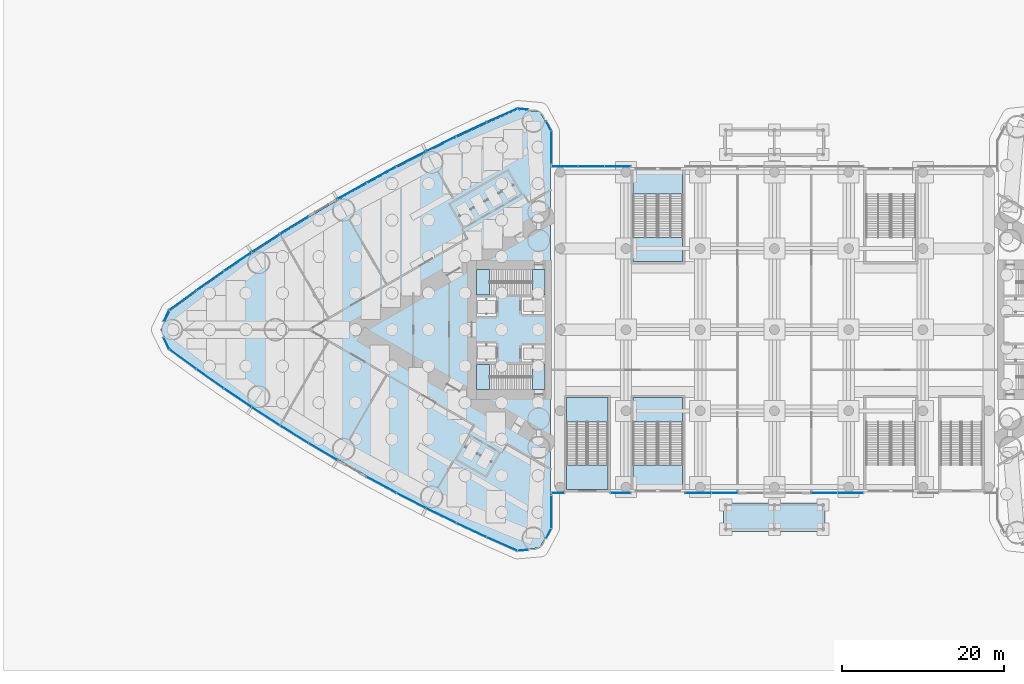
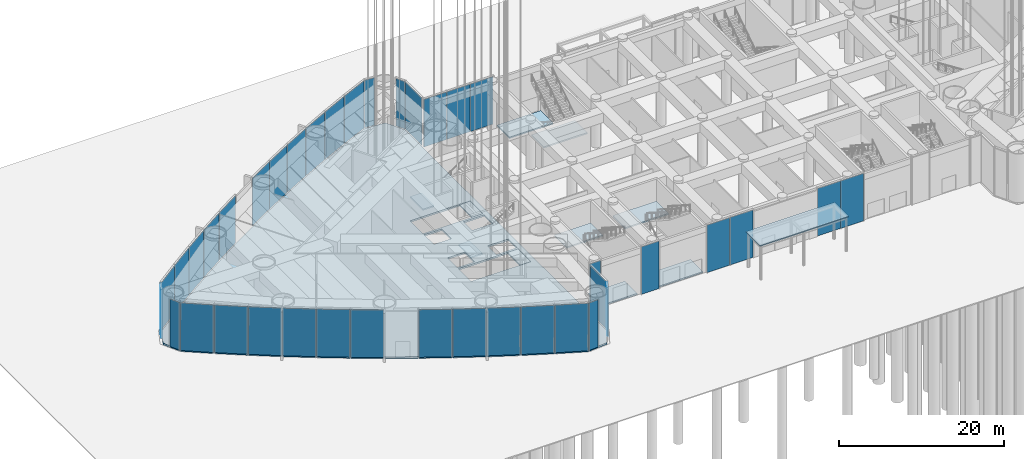
# One storey, part 17 of 43: 39 plates, 12 slabs, 16 elements without a shape of their own.
"""IFC4 building model written with IfcOpenShell, lengths in metres."""

from ifc_helpers import new_model, si_unit, direction, frame, origin, origin_2d, place, context, subcontext, project, spatial, polyline, rectangle, outline, extrude, material, layer, layer_set, type_object, element, aggregate, save


model = new_model("IFC4")

# Units and contexts
model_context = context("Model", 3, precision=1e-05, world=origin(), true_north=direction((0.0, 1.0)))
body_context = subcontext(model_context, "Body", "Model", "MODEL_VIEW")
ifc_project = project(units=[si_unit("LENGTHUNIT", "METRE"), si_unit("AREAUNIT", "SQUARE_METRE"), si_unit("VOLUMEUNIT", "CUBIC_METRE"), si_unit("PLANEANGLEUNIT", "RADIAN"), si_unit("MASSUNIT", "GRAM", prefix="KILO")], contexts=[model_context])

# Site, building, storey
site_placement = place(None, origin())
site = spatial("IfcSite", under=ifc_project, at=site_placement, CompositionType="ELEMENT")
building_placement = place(site_placement, origin())
building = spatial("IfcBuilding", under=site, at=building_placement, Name="Lancet Gate Hotel", CompositionType="ELEMENT")
storey_placement = place(building_placement, origin())
storey = spatial("IfcBuildingStorey", under=building, at=storey_placement, Name="L00", CompositionType="ELEMENT", Elevation=0.0)

# Slabs
ifc_material_1 = material(Name="Concrete C40/50", Category="concrete")
ifc_layer_1 = layer(ifc_material_1, 0.14990234375)
ifc_layer_set_1 = layer_set([ifc_layer_1], Name="Canopy roof slab 150")
slab_type_1 = type_object("IfcSlabType", Name="Canopy roof slab 150", PredefinedType="ROOF", material=ifc_layer_set_1)
slab_1_placement = place(storey_placement, frame((0.0, 0.0, 5.050048828125)))
element("IfcSlab", 1, at=slab_1_placement, inside=storey, type_object=slab_type_1, Name="Concourse entrance canopy S", PredefinedType="ROOF", context=body_context, shape_type="SweptSolid", body=[
    extrude(outline(polyline([(6.25, -24.85009765625), (6.25, -21.35009765625), (-6.25, -21.35009765625), (-6.25, -24.85009765625), (6.25, -24.85009765625)])), origin(), (0.0, 0.0, 1.0), 0.14990234375),
])
ifc_material_2 = material(Name="Concrete C40/50", Category="concrete")
ifc_layer_2 = layer(ifc_material_2, 0.25)
ifc_layer_set_2 = layer_set([ifc_layer_2], Name="Ground slab 250")
slab_type_2 = type_object("IfcSlabType", Name="Ground slab 250", PredefinedType="BASESLAB", material=ifc_layer_set_2)
slab_2_placement = place(storey_placement, frame((0.0, 0.0, -0.25)))
element("IfcSlab", 2, at=slab_2_placement, inside=storey, type_object=slab_type_2, Name="T1 L00 floor slab", PredefinedType="BASESLAB", context=body_context, shape_type="SweptSolid", body=[
    extrude(outline(polyline([(-27.6201171875, 24.4609375), (-28.926513671875, 26.8837890625), (-31.668212890625, 27.12353515625), (-35.424072265625, 25.458740234375), (-39.173583984375, 23.70849609375), (-42.887939453125, 21.884765625), (-46.56591796875, 19.98876953125), (-50.2060546875, 18.02099609375), (-53.806884765625, 15.982421875), (-57.366943359375, 13.87353515625), (-60.88525390625, 11.695068359375), (-64.360107421875, 9.448486328125), (-67.7900390625, 7.134033203125), (-71.17431640625, 4.752685546875), (-74.488525390625, 2.322021484375), (-75.65087890625, 0.0), (-74.488525390625, -2.322021484375), (-71.17431640625, -4.752685546875), (-67.7900390625, -7.134033203125), (-64.360107421875, -9.448486328125), (-60.88525390625, -11.695068359375), (-57.366943359375, -13.87353515625), (-53.806884765625, -15.982421875), (-50.2060546875, -18.02099609375), (-46.56591796875, -19.98876953125), (-42.887939453125, -21.884765625), (-39.173583984375, -23.70849609375), (-35.424072265625, -25.458740234375), (-31.668212890625, -27.12353515625), (-28.926513671875, -26.8837890625), (-27.6201171875, -24.4609375), (-27.6201171875, 24.4609375)]), holes=[polyline([(-28.300048828125, 7.39990234375), (-36.699951171875, 7.39990234375), (-36.699951171875, 4.300048828125), (-28.300048828125, 4.300048828125), (-28.300048828125, 7.39990234375)]), polyline([(-28.300048828125, 1.89990234375), (-28.300048828125, 4.0), (-31.199951171875, 4.0), (-31.199951171875, 1.89990234375), (-28.300048828125, 1.89990234375)]), polyline([(-34.25, 1.64990234375), (-34.25, 4.0), (-36.699951171875, 4.0), (-36.699951171875, 1.64990234375), (-34.25, 1.64990234375)]), polyline([(-34.25, -1.64990234375), (-36.699951171875, -1.64990234375), (-36.699951171875, -4.0), (-34.25, -4.0), (-34.25, -1.64990234375)]), polyline([(-28.300048828125, -4.0), (-28.300048828125, -1.89990234375), (-31.199951171875, -1.89990234375), (-31.199951171875, -4.0), (-28.300048828125, -4.0)]), polyline([(-28.300048828125, -7.39990234375), (-28.300048828125, -4.300048828125), (-36.699951171875, -4.300048828125), (-36.699951171875, -7.39990234375), (-28.300048828125, -7.39990234375)])]), origin(), (0.0, 0.0, 1.0), 0.25),
])

# Curtain wall, plates
ifc_material_3 = material(Name="Aluminium curtain wall", Category="aluminium")
curtain_wall_type = type_object("IfcCurtainWallType", Name="Podium curtain wall", PredefinedType="USERDEFINED", material=ifc_material_3)
curtain_wall_1_placement = place(storey_placement, origin())
curtain_wall_1 = element("IfcCurtainWall", 3, at=curtain_wall_1_placement, inside=storey, type_object=curtain_wall_type, Name="T1 L00 curtain wall 1", ObjectType="UNITISED CURTAIN WALL", PredefinedType="USERDEFINED")
ifc_material_4 = material(Name="Glass double glazed unit 10-16-10", Category="glass")
ifc_layer_3 = layer(ifc_material_4, 0.035888671875)
ifc_layer_set_3 = layer_set([ifc_layer_3], Name="Podium vision panel")
plate_type = type_object("IfcPlateType", Name="Podium vision panel", PredefinedType="CURTAIN_PANEL", material=ifc_layer_set_3)
plate_1_placement = place(storey_placement, frame((-27.5, 22.454833984375, 0.0), z_axis=(0.0, 0.0, 1.0), x_axis=(0.0, 1.0, 0.0)))
plate_1 = element("IfcPlate", 4, at=plate_1_placement, type_object=plate_type, Name="T1 L00 curtain wall 1 panel 1", PredefinedType="CURTAIN_PANEL", context=body_context, shape_type="SweptSolid", body=[
    extrude(rectangle(XDim=4.0078125, YDim=0.035888671875, at=origin_2d()), origin(), (0.0, 0.0, 1.0), 7.050048828125),
])
plate_2_placement = place(storey_placement, frame((-27.829345703125, 25.10205078125, 0.0), z_axis=(0.0, 0.0, 1.0), x_axis=(-0.474631040972, 0.880184852714, 0.0)))
plate_2 = element("IfcPlate", 5, at=plate_2_placement, type_object=plate_type, Name="T1 L00 curtain wall 1 panel 2", PredefinedType="CURTAIN_PANEL", context=body_context, shape_type="SweptSolid", body=[
    extrude(rectangle(XDim=1.322998046875, YDim=0.035888671875, at=origin_2d()), origin(), (0.0, 0.0, 1.0), 7.050048828125),
])
aggregate(curtain_wall_1, [plate_1, plate_2])

curtain_wall_2_placement = place(storey_placement, origin())
curtain_wall_2 = element("IfcCurtainWall", 6, at=curtain_wall_2_placement, inside=storey, type_object=curtain_wall_type, Name="T1 L00 curtain wall 2", ObjectType="UNITISED CURTAIN WALL", PredefinedType="USERDEFINED")
plate_3_placement = place(storey_placement, frame((-30.99658203125, 27.185302734375, 0.0), z_axis=(0.0, 0.0, 1.0), x_axis=(-0.99620380374, 0.087051602022, 0.0)))
plate_3 = element("IfcPlate", 7, at=plate_3_placement, type_object=plate_type, Name="T1 L00 curtain wall 2 panel 1", PredefinedType="CURTAIN_PANEL", context=body_context, shape_type="SweptSolid", body=[
    extrude(rectangle(XDim=1.32421875, YDim=0.035888671875, at=origin_2d()), origin(), (0.0, 0.0, 1.0), 7.050048828125),
])
plate_4_placement = place(storey_placement, frame((-33.581298828125, 26.406982421875, 0.0), z_axis=(0.0, 0.0, 1.0), x_axis=(-0.914234183208, -0.405186201954, 0.0)))
plate_4 = element("IfcPlate", 8, at=plate_4_placement, type_object=plate_type, Name="T1 L00 curtain wall 2 panel 2", PredefinedType="CURTAIN_PANEL", context=body_context, shape_type="SweptSolid", body=[
    extrude(rectangle(XDim=4.0751953125, YDim=0.035888671875, at=origin_2d()), origin(), (0.0, 0.0, 1.0), 7.050048828125),
])
plate_5_placement = place(storey_placement, frame((-37.349609375, 24.6923828125, 0.0), z_axis=(0.0, 0.0, 1.0), x_axis=(-0.906117767284, -0.423025521467, 0.0)))
plate_5 = element("IfcPlate", 9, at=plate_5_placement, type_object=plate_type, Name="T1 L00 curtain wall 2 panel 3", PredefinedType="CURTAIN_PANEL", context=body_context, shape_type="SweptSolid", body=[
    extrude(rectangle(XDim=4.0751953125, YDim=0.035888671875, at=origin_2d()), origin(), (0.0, 0.0, 1.0), 7.050048828125),
])
plate_6_placement = place(storey_placement, frame((-41.083740234375, 22.904296875, 0.0), z_axis=(0.0, 0.0, 1.0), x_axis=(-0.897653295642, -0.440702349463, 0.0)))
plate_6 = element("IfcPlate", 10, at=plate_6_placement, type_object=plate_type, Name="T1 L00 curtain wall 2 panel 4", PredefinedType="CURTAIN_PANEL", context=body_context, shape_type="SweptSolid", body=[
    extrude(rectangle(XDim=4.0751953125, YDim=0.035888671875, at=origin_2d()), origin(), (0.0, 0.0, 1.0), 7.050048828125),
])
plate_7_placement = place(storey_placement, frame((-44.781982421875, 21.04345703125, 0.0), z_axis=(0.0, 0.0, 1.0), x_axis=(-0.888844019644, -0.458209895946, 0.0)))
plate_7 = element("IfcPlate", 11, at=plate_7_placement, type_object=plate_type, Name="T1 L00 curtain wall 2 panel 5", PredefinedType="CURTAIN_PANEL", context=body_context, shape_type="SweptSolid", body=[
    extrude(rectangle(XDim=4.0751953125, YDim=0.035888671875, at=origin_2d()), origin(), (0.0, 0.0, 1.0), 7.050048828125),
])
plate_8_placement = place(storey_placement, frame((-48.443115234375, 19.110595703125, 0.0), z_axis=(0.0, 0.0, 1.0), x_axis=(-0.87969332307, -0.475541435993, 0.0)))
plate_8 = element("IfcPlate", 12, at=plate_8_placement, type_object=plate_type, Name="T1 L00 curtain wall 2 panel 6", PredefinedType="CURTAIN_PANEL", context=body_context, shape_type="SweptSolid", body=[
    extrude(rectangle(XDim=4.0751953125, YDim=0.035888671875, at=origin_2d()), origin(), (0.0, 0.0, 1.0), 7.050048828125),
])
plate_9_placement = place(storey_placement, frame((-52.065673828125, 17.106201171875, 0.0), z_axis=(0.0, 0.0, 1.0), x_axis=(-0.870204720871, -0.492690312238, 0.0)))
plate_9 = element("IfcPlate", 13, at=plate_9_placement, type_object=plate_type, Name="T1 L00 curtain wall 2 panel 7", PredefinedType="CURTAIN_PANEL", context=body_context, shape_type="SweptSolid", body=[
    extrude(rectangle(XDim=4.0751953125, YDim=0.035888671875, at=origin_2d()), origin(), (0.0, 0.0, 1.0), 7.050048828125),
])
aggregate(curtain_wall_2, [plate_3, plate_4, plate_5, plate_6, plate_7, plate_8, plate_9])

curtain_wall_3_placement = place(storey_placement, origin())
curtain_wall_3 = element("IfcCurtainWall", 14, at=curtain_wall_3_placement, inside=storey, type_object=curtain_wall_type, Name="T1 L00 curtain wall 3", ObjectType="UNITISED CURTAIN WALL", PredefinedType="USERDEFINED")
plate_10_placement = place(storey_placement, frame((-59.189208984375, 12.88623046875, 0.0), z_axis=(0.0, 0.0, 1.0), x_axis=(-0.850228506958, -0.52641379727, 0.0)))
plate_10 = element("IfcPlate", 15, at=plate_10_placement, type_object=plate_type, Name="T1 L00 curtain wall 3 panel 1", PredefinedType="CURTAIN_PANEL", context=body_context, shape_type="SweptSolid", body=[
    extrude(rectangle(XDim=4.0751953125, YDim=0.035888671875, at=origin_2d()), origin(), (0.0, 0.0, 1.0), 7.050048828125),
])
plate_11_placement = place(storey_placement, frame((-62.687744140625, 10.672607421875, 0.0), z_axis=(0.0, 0.0, 1.0), x_axis=(-0.839748568448, -0.54297545229, 0.0)))
plate_11 = element("IfcPlate", 16, at=plate_11_placement, type_object=plate_type, Name="T1 L00 curtain wall 3 panel 2", PredefinedType="CURTAIN_PANEL", context=body_context, shape_type="SweptSolid", body=[
    extrude(rectangle(XDim=4.0751953125, YDim=0.035888671875, at=origin_2d()), origin(), (0.0, 0.0, 1.0), 7.050048828125),
])
plate_12_placement = place(storey_placement, frame((-66.142333984375, 8.390625, 0.0), z_axis=(0.0, 0.0, 1.0), x_axis=(-0.828946067803, -0.559328540907, 0.0)))
plate_12 = element("IfcPlate", 17, at=plate_12_placement, type_object=plate_type, Name="T1 L00 curtain wall 3 panel 3", PredefinedType="CURTAIN_PANEL", context=body_context, shape_type="SweptSolid", body=[
    extrude(rectangle(XDim=4.0751953125, YDim=0.035888671875, at=origin_2d()), origin(), (0.0, 0.0, 1.0), 7.050048828125),
])
plate_13_placement = place(storey_placement, frame((-69.55126953125, 6.04150390625, 0.0), z_axis=(0.0, 0.0, 1.0), x_axis=(-0.817825154435, -0.575466781642, 0.0)))
plate_13 = element("IfcPlate", 18, at=plate_13_placement, type_object=plate_type, Name="T1 L00 curtain wall 3 panel 4", PredefinedType="CURTAIN_PANEL", context=body_context, shape_type="SweptSolid", body=[
    extrude(rectangle(XDim=4.0751953125, YDim=0.035888671875, at=origin_2d()), origin(), (0.0, 0.0, 1.0), 7.050048828125),
])
plate_14_placement = place(storey_placement, frame((-72.91357421875, 3.6259765625, 0.0), z_axis=(0.0, 0.0, 1.0), x_axis=(-0.80639010009, -0.591383975499, 0.0)))
plate_14 = element("IfcPlate", 19, at=plate_14_placement, type_object=plate_type, Name="T1 L00 curtain wall 3 panel 5", PredefinedType="CURTAIN_PANEL", context=body_context, shape_type="SweptSolid", body=[
    extrude(rectangle(XDim=4.0751953125, YDim=0.035888671875, at=origin_2d()), origin(), (0.0, 0.0, 1.0), 7.050048828125),
])
plate_15_placement = place(storey_placement, frame((-74.93505859375, 1.6982421875, 0.0), z_axis=(0.0, 0.0, 1.0), x_axis=(-0.447628324726, -0.89421970617, 0.0)))
plate_15 = element("IfcPlate", 20, at=plate_15_placement, type_object=plate_type, Name="T1 L00 curtain wall 3 panel 6", PredefinedType="CURTAIN_PANEL", context=body_context, shape_type="SweptSolid", body=[
    extrude(rectangle(XDim=1.50830078125, YDim=0.035888671875, at=origin_2d()), origin(), (0.0, 0.0, 1.0), 7.050048828125),
])
aggregate(curtain_wall_3, [plate_10, plate_11, plate_12, plate_13, plate_14, plate_15])

curtain_wall_4_placement = place(storey_placement, origin())
curtain_wall_4 = element("IfcCurtainWall", 21, at=curtain_wall_4_placement, inside=storey, type_object=curtain_wall_type, Name="T1 L00 curtain wall 4", ObjectType="UNITISED CURTAIN WALL", PredefinedType="USERDEFINED")
plate_16_placement = place(storey_placement, frame((-74.93505859375, -1.6982421875, 0.0), z_axis=(0.0, 0.0, 1.0), x_axis=(0.447628324726, -0.89421970617, 0.0)))
plate_16 = element("IfcPlate", 22, at=plate_16_placement, type_object=plate_type, Name="T1 L00 curtain wall 4 panel 1", PredefinedType="CURTAIN_PANEL", context=body_context, shape_type="SweptSolid", body=[
    extrude(rectangle(XDim=1.50830078125, YDim=0.035888671875, at=origin_2d()), origin(), (0.0, 0.0, 1.0), 7.050048828125),
])
plate_17_placement = place(storey_placement, frame((-72.91357421875, -3.6259765625, 0.0), z_axis=(0.0, 0.0, 1.0), x_axis=(0.80639010009, -0.591383975499, 0.0)))
plate_17 = element("IfcPlate", 23, at=plate_17_placement, type_object=plate_type, Name="T1 L00 curtain wall 4 panel 2", PredefinedType="CURTAIN_PANEL", context=body_context, shape_type="SweptSolid", body=[
    extrude(rectangle(XDim=4.0751953125, YDim=0.035888671875, at=origin_2d()), origin(), (0.0, 0.0, 1.0), 7.050048828125),
])
plate_18_placement = place(storey_placement, frame((-69.55126953125, -6.04150390625, 0.0), z_axis=(0.0, 0.0, 1.0), x_axis=(0.817825154435, -0.575466781642, 0.0)))
plate_18 = element("IfcPlate", 24, at=plate_18_placement, type_object=plate_type, Name="T1 L00 curtain wall 4 panel 3", PredefinedType="CURTAIN_PANEL", context=body_context, shape_type="SweptSolid", body=[
    extrude(rectangle(XDim=4.0751953125, YDim=0.035888671875, at=origin_2d()), origin(), (0.0, 0.0, 1.0), 7.050048828125),
])
plate_19_placement = place(storey_placement, frame((-66.142333984375, -8.390625, 0.0), z_axis=(0.0, 0.0, 1.0), x_axis=(0.828946067803, -0.559328540907, 0.0)))
plate_19 = element("IfcPlate", 25, at=plate_19_placement, type_object=plate_type, Name="T1 L00 curtain wall 4 panel 4", PredefinedType="CURTAIN_PANEL", context=body_context, shape_type="SweptSolid", body=[
    extrude(rectangle(XDim=4.0751953125, YDim=0.035888671875, at=origin_2d()), origin(), (0.0, 0.0, 1.0), 7.050048828125),
])
plate_20_placement = place(storey_placement, frame((-62.687744140625, -10.672607421875, 0.0), z_axis=(0.0, 0.0, 1.0), x_axis=(0.839748568448, -0.54297545229, 0.0)))
plate_20 = element("IfcPlate", 26, at=plate_20_placement, type_object=plate_type, Name="T1 L00 curtain wall 4 panel 5", PredefinedType="CURTAIN_PANEL", context=body_context, shape_type="SweptSolid", body=[
    extrude(rectangle(XDim=4.0751953125, YDim=0.035888671875, at=origin_2d()), origin(), (0.0, 0.0, 1.0), 7.050048828125),
])
plate_21_placement = place(storey_placement, frame((-59.189208984375, -12.88623046875, 0.0), z_axis=(0.0, 0.0, 1.0), x_axis=(0.850228506958, -0.52641379727, 0.0)))
plate_21 = element("IfcPlate", 27, at=plate_21_placement, type_object=plate_type, Name="T1 L00 curtain wall 4 panel 6", PredefinedType="CURTAIN_PANEL", context=body_context, shape_type="SweptSolid", body=[
    extrude(rectangle(XDim=4.0751953125, YDim=0.035888671875, at=origin_2d()), origin(), (0.0, 0.0, 1.0), 7.050048828125),
])
plate_22_placement = place(storey_placement, frame((-55.648193359375, -15.031005859375, 0.0), z_axis=(0.0, 0.0, 1.0), x_axis=(0.860381857795, -0.509649937484, 0.0)))
plate_22 = element("IfcPlate", 28, at=plate_22_placement, type_object=plate_type, Name="T1 L00 curtain wall 4 panel 7", PredefinedType="CURTAIN_PANEL", context=body_context, shape_type="SweptSolid", body=[
    extrude(rectangle(XDim=4.0751953125, YDim=0.035888671875, at=origin_2d()), origin(), (0.0, 0.0, 1.0), 7.050048828125),
])
aggregate(curtain_wall_4, [plate_16, plate_17, plate_18, plate_19, plate_20, plate_21, plate_22])

curtain_wall_5_placement = place(storey_placement, origin())
curtain_wall_5 = element("IfcCurtainWall", 29, at=curtain_wall_5_placement, inside=storey, type_object=curtain_wall_type, Name="T1 L00 curtain wall 5", ObjectType="UNITISED CURTAIN WALL", PredefinedType="USERDEFINED")
plate_23_placement = place(storey_placement, frame((-48.443115234375, -19.110595703125, 0.0), z_axis=(0.0, 0.0, 1.0), x_axis=(0.87969332307, -0.475541435993, 0.0)))
plate_23 = element("IfcPlate", 30, at=plate_23_placement, type_object=plate_type, Name="T1 L00 curtain wall 5 panel 1", PredefinedType="CURTAIN_PANEL", context=body_context, shape_type="SweptSolid", body=[
    extrude(rectangle(XDim=4.0751953125, YDim=0.035888671875, at=origin_2d()), origin(), (0.0, 0.0, 1.0), 7.050048828125),
])
plate_24_placement = place(storey_placement, frame((-44.781982421875, -21.04345703125, 0.0), z_axis=(0.0, 0.0, 1.0), x_axis=(0.888844019644, -0.458209895946, 0.0)))
plate_24 = element("IfcPlate", 31, at=plate_24_placement, type_object=plate_type, Name="T1 L00 curtain wall 5 panel 2", PredefinedType="CURTAIN_PANEL", context=body_context, shape_type="SweptSolid", body=[
    extrude(rectangle(XDim=4.0751953125, YDim=0.035888671875, at=origin_2d()), origin(), (0.0, 0.0, 1.0), 7.050048828125),
])
plate_25_placement = place(storey_placement, frame((-41.083740234375, -22.904296875, 0.0), z_axis=(0.0, 0.0, 1.0), x_axis=(0.897653295642, -0.440702349463, 0.0)))
plate_25 = element("IfcPlate", 32, at=plate_25_placement, type_object=plate_type, Name="T1 L00 curtain wall 5 panel 3", PredefinedType="CURTAIN_PANEL", context=body_context, shape_type="SweptSolid", body=[
    extrude(rectangle(XDim=4.0751953125, YDim=0.035888671875, at=origin_2d()), origin(), (0.0, 0.0, 1.0), 7.050048828125),
])
plate_26_placement = place(storey_placement, frame((-37.349609375, -24.6923828125, 0.0), z_axis=(0.0, 0.0, 1.0), x_axis=(0.906117767284, -0.423025521467, 0.0)))
plate_26 = element("IfcPlate", 33, at=plate_26_placement, type_object=plate_type, Name="T1 L00 curtain wall 5 panel 4", PredefinedType="CURTAIN_PANEL", context=body_context, shape_type="SweptSolid", body=[
    extrude(rectangle(XDim=4.0751953125, YDim=0.035888671875, at=origin_2d()), origin(), (0.0, 0.0, 1.0), 7.050048828125),
])
plate_27_placement = place(storey_placement, frame((-33.581298828125, -26.406982421875, 0.0), z_axis=(0.0, 0.0, 1.0), x_axis=(0.914234183208, -0.405186201954, 0.0)))
plate_27 = element("IfcPlate", 34, at=plate_27_placement, type_object=plate_type, Name="T1 L00 curtain wall 5 panel 5", PredefinedType="CURTAIN_PANEL", context=body_context, shape_type="SweptSolid", body=[
    extrude(rectangle(XDim=4.0751953125, YDim=0.035888671875, at=origin_2d()), origin(), (0.0, 0.0, 1.0), 7.050048828125),
])
plate_28_placement = place(storey_placement, frame((-30.99658203125, -27.185302734375, 0.0), z_axis=(0.0, 0.0, 1.0), x_axis=(0.99620380374, 0.087051602022, 0.0)))
plate_28 = element("IfcPlate", 35, at=plate_28_placement, type_object=plate_type, Name="T1 L00 curtain wall 5 panel 6", PredefinedType="CURTAIN_PANEL", context=body_context, shape_type="SweptSolid", body=[
    extrude(rectangle(XDim=1.32421875, YDim=0.035888671875, at=origin_2d()), origin(), (0.0, 0.0, 1.0), 7.050048828125),
])
aggregate(curtain_wall_5, [plate_23, plate_24, plate_25, plate_26, plate_27, plate_28])

curtain_wall_6_placement = place(storey_placement, origin())
curtain_wall_6 = element("IfcCurtainWall", 36, at=curtain_wall_6_placement, inside=storey, type_object=curtain_wall_type, Name="T1 L00 curtain wall 6", ObjectType="UNITISED CURTAIN WALL", PredefinedType="USERDEFINED")
plate_29_placement = place(storey_placement, frame((-27.829345703125, -25.10205078125, 0.0), z_axis=(0.0, 0.0, 1.0), x_axis=(0.474631040972, 0.880184852714, 0.0)))
plate_29 = element("IfcPlate", 37, at=plate_29_placement, type_object=plate_type, Name="T1 L00 curtain wall 6 panel 1", PredefinedType="CURTAIN_PANEL", context=body_context, shape_type="SweptSolid", body=[
    extrude(rectangle(XDim=1.322998046875, YDim=0.035888671875, at=origin_2d()), origin(), (0.0, 0.0, 1.0), 7.050048828125),
])
plate_30_placement = place(storey_placement, frame((-27.5, -22.454833984375, 0.0), z_axis=(0.0, 0.0, 1.0), x_axis=(0.0, 1.0, 0.0)))
plate_30 = element("IfcPlate", 38, at=plate_30_placement, type_object=plate_type, Name="T1 L00 curtain wall 6 panel 2", PredefinedType="CURTAIN_PANEL", context=body_context, shape_type="SweptSolid", body=[
    extrude(rectangle(XDim=4.0078125, YDim=0.035888671875, at=origin_2d()), origin(), (0.0, 0.0, 1.0), 7.050048828125),
])
aggregate(curtain_wall_6, [plate_29, plate_30])

# Curtain wall, plate
curtain_wall_7_placement = place(storey_placement, origin())
curtain_wall_7 = element("IfcCurtainWall", 39, at=curtain_wall_7_placement, inside=storey, type_object=curtain_wall_type, Name="Podium L00 curtain wall S1", ObjectType="UNITISED CURTAIN WALL", PredefinedType="USERDEFINED")
plate_31_placement = place(storey_placement, frame((-26.699951171875, -20.1201171875, 0.0), z_axis=(0.0, 0.0, 1.0), x_axis=(1.0, 0.0, 0.0)))
plate_31 = element("IfcPlate", 40, at=plate_31_placement, type_object=plate_type, Name="Podium L00 curtain wall S1 panel 1", PredefinedType="CURTAIN_PANEL", context=body_context, shape_type="SweptSolid", body=[
    extrude(rectangle(XDim=1.534912109375, YDim=0.035888671875, at=origin_2d()), origin(), (0.0, 0.0, 1.0), 7.050048828125),
])
aggregate(curtain_wall_7, [plate_31])

curtain_wall_8_placement = place(storey_placement, origin())
curtain_wall_8 = element("IfcCurtainWall", 41, at=curtain_wall_8_placement, inside=storey, type_object=curtain_wall_type, Name="Podium L00 curtain wall S2", ObjectType="UNITISED CURTAIN WALL", PredefinedType="USERDEFINED")
plate_32_placement = place(storey_placement, frame((-18.949951171875, -20.1201171875, 0.0), z_axis=(0.0, 0.0, 1.0), x_axis=(1.0, 0.0, 0.0)))
plate_32 = element("IfcPlate", 42, at=plate_32_placement, type_object=plate_type, Name="Podium L00 curtain wall S2 panel 1", PredefinedType="CURTAIN_PANEL", context=body_context, shape_type="SweptSolid", body=[
    extrude(rectangle(XDim=2.43505859375, YDim=0.035888671875, at=origin_2d()), origin(), (0.0, 0.0, 1.0), 7.050048828125),
])
aggregate(curtain_wall_8, [plate_32])

# Curtain wall, plates
curtain_wall_9_placement = place(storey_placement, origin())
curtain_wall_9 = element("IfcCurtainWall", 43, at=curtain_wall_9_placement, inside=storey, type_object=curtain_wall_type, Name="Podium L00 curtain wall S3", ObjectType="UNITISED CURTAIN WALL", PredefinedType="USERDEFINED")
plate_33_placement = place(storey_placement, frame((-9.375, -20.1201171875, 0.0), z_axis=(0.0, 0.0, 1.0), x_axis=(1.0, 0.0, 0.0)))
plate_33 = element("IfcPlate", 44, at=plate_33_placement, type_object=plate_type, Name="Podium L00 curtain wall S3 panel 1", PredefinedType="CURTAIN_PANEL", context=body_context, shape_type="SweptSolid", body=[
    extrude(rectangle(XDim=3.18505859375, YDim=0.035888671875, at=origin_2d()), origin(), (0.0, 0.0, 1.0), 7.050048828125),
])
plate_34_placement = place(storey_placement, frame((-6.125, -20.1201171875, 0.0), z_axis=(0.0, 0.0, 1.0), x_axis=(1.0, 0.0, 0.0)))
plate_34 = element("IfcPlate", 45, at=plate_34_placement, type_object=plate_type, Name="Podium L00 curtain wall S3 panel 2", PredefinedType="CURTAIN_PANEL", context=body_context, shape_type="SweptSolid", body=[
    extrude(rectangle(XDim=3.18505859375, YDim=0.035888671875, at=origin_2d()), origin(), (0.0, 0.0, 1.0), 7.050048828125),
])
aggregate(curtain_wall_9, [plate_33, plate_34])

curtain_wall_10_placement = place(storey_placement, origin())
curtain_wall_10 = element("IfcCurtainWall", 46, at=curtain_wall_10_placement, inside=storey, type_object=curtain_wall_type, Name="Podium L00 curtain wall S4", ObjectType="UNITISED CURTAIN WALL", PredefinedType="USERDEFINED")
plate_35_placement = place(storey_placement, frame((6.125, -20.1201171875, 0.0), z_axis=(0.0, 0.0, 1.0), x_axis=(1.0, 0.0, 0.0)))
plate_35 = element("IfcPlate", 47, at=plate_35_placement, type_object=plate_type, Name="Podium L00 curtain wall S4 panel 1", PredefinedType="CURTAIN_PANEL", context=body_context, shape_type="SweptSolid", body=[
    extrude(rectangle(XDim=3.18505859375, YDim=0.035888671875, at=origin_2d()), origin(), (0.0, 0.0, 1.0), 7.050048828125),
])
plate_36_placement = place(storey_placement, frame((9.375, -20.1201171875, 0.0), z_axis=(0.0, 0.0, 1.0), x_axis=(1.0, 0.0, 0.0)))
plate_36 = element("IfcPlate", 48, at=plate_36_placement, type_object=plate_type, Name="Podium L00 curtain wall S4 panel 2", PredefinedType="CURTAIN_PANEL", context=body_context, shape_type="SweptSolid", body=[
    extrude(rectangle(XDim=3.18505859375, YDim=0.035888671875, at=origin_2d()), origin(), (0.0, 0.0, 1.0), 7.050048828125),
])
aggregate(curtain_wall_10, [plate_35, plate_36])

curtain_wall_11_placement = place(storey_placement, origin())
curtain_wall_11 = element("IfcCurtainWall", 49, at=curtain_wall_11_placement, inside=storey, type_object=curtain_wall_type, Name="Podium L00 curtain wall N1", ObjectType="UNITISED CURTAIN WALL", PredefinedType="USERDEFINED")
plate_37_placement = place(storey_placement, frame((-19.333251953125, 20.1201171875, 0.0), z_axis=(0.0, 0.0, 1.0), x_axis=(-1.0, 0.0, 0.0)))
plate_37 = element("IfcPlate", 50, at=plate_37_placement, type_object=plate_type, Name="Podium L00 curtain wall N1 panel 1", PredefinedType="CURTAIN_PANEL", context=body_context, shape_type="SweptSolid", body=[
    extrude(rectangle(XDim=3.20166015625, YDim=0.035888671875, at=origin_2d()), origin(), (0.0, 0.0, 1.0), 7.050048828125),
])
plate_38_placement = place(storey_placement, frame((-22.60009765625, 20.1201171875, 0.0), z_axis=(0.0, 0.0, 1.0), x_axis=(-1.0, 0.0, 0.0)))
plate_38 = element("IfcPlate", 51, at=plate_38_placement, type_object=plate_type, Name="Podium L00 curtain wall N1 panel 2", PredefinedType="CURTAIN_PANEL", context=body_context, shape_type="SweptSolid", body=[
    extrude(rectangle(XDim=3.20166015625, YDim=0.035888671875, at=origin_2d()), origin(), (0.0, 0.0, 1.0), 7.050048828125),
])
plate_39_placement = place(storey_placement, frame((-25.86669921875, 20.1201171875, 0.0), z_axis=(0.0, 0.0, 1.0), x_axis=(-1.0, 0.0, 0.0)))
plate_39 = element("IfcPlate", 52, at=plate_39_placement, type_object=plate_type, Name="Podium L00 curtain wall N1 panel 3", PredefinedType="CURTAIN_PANEL", context=body_context, shape_type="SweptSolid", body=[
    extrude(rectangle(XDim=3.20166015625, YDim=0.035888671875, at=origin_2d()), origin(), (0.0, 0.0, 1.0), 7.050048828125),
])
aggregate(curtain_wall_11, [plate_37, plate_38, plate_39])

# Stair, slabs
ifc_material_5 = material(Name="Exit stair 40 risers 1500")
stair_type_1 = type_object("IfcStairType", Name="Exit stair 40 risers 1500", PredefinedType="HALF_TURN_STAIR", material=ifc_material_5)
stair_1_placement = place(storey_placement, origin())
stair_1 = element("IfcStair", 53, at=stair_1_placement, inside=storey, type_object=stair_type_1, Name="T1 stair 1 L00", PredefinedType="HALF_TURN_STAIR")
ifc_material_6 = material(Name="Concrete C40/50", Category="concrete")
ifc_layer_4 = layer(ifc_material_6, 0.199951171875)
ifc_layer_set_4 = layer_set([ifc_layer_4], Name="Stair landing 200")
slab_type_3 = type_object("IfcSlabType", Name="Stair landing 200", PredefinedType="LANDING", material=ifc_layer_set_4)
slab_3_placement = place(storey_placement, frame((0.0, 0.0, -0.199951171875)))
slab_3 = element("IfcSlab", 54, at=slab_3_placement, type_object=slab_type_3, Name="ST1 landing 1", PredefinedType="LANDING", context=body_context, shape_type="SweptSolid", body=[
    extrude(outline(polyline([(-28.300048828125, 7.39990234375), (-29.800048828125, 7.39990234375), (-29.800048828125, 4.300048828125), (-28.300048828125, 4.300048828125), (-28.300048828125, 7.39990234375)])), origin(), (0.0, 0.0, 1.0), 0.199951171875),
])
slab_4_placement = place(storey_placement, frame((0.0, 0.0, 3.39990234375)))
slab_4 = element("IfcSlab", 55, at=slab_4_placement, type_object=slab_type_3, Name="ST1 landing 2", PredefinedType="LANDING", context=body_context, shape_type="SweptSolid", body=[
    extrude(outline(polyline([(-35.1201171875, 7.39990234375), (-36.699951171875, 7.39990234375), (-36.699951171875, 4.300048828125), (-35.1201171875, 4.300048828125), (-35.1201171875, 7.39990234375)])), origin(), (0.0, 0.0, 1.0), 0.2001953125),
])
aggregate(stair_1, [slab_3, slab_4])

stair_2_placement = place(storey_placement, origin())
stair_2 = element("IfcStair", 56, at=stair_2_placement, inside=storey, type_object=stair_type_1, Name="T1 stair 2 L00", PredefinedType="HALF_TURN_STAIR")
slab_5_placement = place(storey_placement, frame((0.0, 0.0, -0.199951171875)))
slab_5 = element("IfcSlab", 57, at=slab_5_placement, type_object=slab_type_3, Name="ST2 landing 1", PredefinedType="LANDING", context=body_context, shape_type="SweptSolid", body=[
    extrude(outline(polyline([(-28.300048828125, -4.300048828125), (-29.800048828125, -4.300048828125), (-29.800048828125, -7.39990234375), (-28.300048828125, -7.39990234375), (-28.300048828125, -4.300048828125)])), origin(), (0.0, 0.0, 1.0), 0.199951171875),
])
slab_6_placement = place(storey_placement, frame((0.0, 0.0, 3.39990234375)))
slab_6 = element("IfcSlab", 58, at=slab_6_placement, type_object=slab_type_3, Name="ST2 landing 2", PredefinedType="LANDING", context=body_context, shape_type="SweptSolid", body=[
    extrude(outline(polyline([(-35.1201171875, -4.300048828125), (-36.699951171875, -4.300048828125), (-36.699951171875, -7.39990234375), (-35.1201171875, -7.39990234375), (-35.1201171875, -4.300048828125)])), origin(), (0.0, 0.0, 1.0), 0.2001953125),
])
aggregate(stair_2, [slab_5, slab_6])

ifc_material_7 = material(Name="Podium stair 40 risers 3000")
stair_type_2 = type_object("IfcStairType", Name="Podium stair 40 risers 3000", PredefinedType="HALF_TURN_STAIR", material=ifc_material_7)
stair_3_placement = place(storey_placement, origin())
stair_3 = element("IfcStair", 59, at=stair_3_placement, inside=storey, type_object=stair_type_2, Name="Podium stair PS3 L00", PredefinedType="HALF_TURN_STAIR")
slab_7_placement = place(storey_placement, frame((0.0, 0.0, -0.199951171875)))
slab_7 = element("IfcSlab", 60, at=slab_7_placement, type_object=slab_type_3, Name="PS3 landing 1", PredefinedType="LANDING", context=body_context, shape_type="SweptSolid", body=[
    extrude(outline(polyline([(-17.39990234375, -19.699951171875), (-11.300048828125, -19.699951171875), (-11.300048828125, -16.699951171875), (-17.39990234375, -16.699951171875), (-17.39990234375, -19.699951171875)])), origin(), (0.0, 0.0, 1.0), 0.199951171875),
])
slab_8_placement = place(storey_placement, frame((0.0, 0.0, 3.39990234375)))
slab_8 = element("IfcSlab", 61, at=slab_8_placement, type_object=slab_type_3, Name="PS3 landing 2", PredefinedType="LANDING", context=body_context, shape_type="SweptSolid", body=[
    extrude(outline(polyline([(-17.39990234375, -11.3798828125), (-11.300048828125, -11.3798828125), (-11.300048828125, -8.3798828125), (-17.39990234375, -8.3798828125), (-17.39990234375, -11.3798828125)])), origin(), (0.0, 0.0, 1.0), 0.2001953125),
])
aggregate(stair_3, [slab_7, slab_8])

stair_4_placement = place(storey_placement, origin())
stair_4 = element("IfcStair", 62, at=stair_4_placement, inside=storey, type_object=stair_type_2, Name="Podium stair PS4 L00", PredefinedType="HALF_TURN_STAIR")
slab_9_placement = place(storey_placement, frame((0.0, 0.0, -0.199951171875)))
slab_9 = element("IfcSlab", 63, at=slab_9_placement, type_object=slab_type_3, Name="PS4 landing 1", PredefinedType="LANDING", context=body_context, shape_type="SweptSolid", body=[
    extrude(outline(polyline([(-17.39990234375, 16.699951171875), (-11.300048828125, 16.699951171875), (-11.300048828125, 19.699951171875), (-17.39990234375, 19.699951171875), (-17.39990234375, 16.699951171875)])), origin(), (0.0, 0.0, 1.0), 0.199951171875),
])
slab_10_placement = place(storey_placement, frame((0.0, 0.0, 3.39990234375)))
slab_10 = element("IfcSlab", 64, at=slab_10_placement, type_object=slab_type_3, Name="PS4 landing 2", PredefinedType="LANDING", context=body_context, shape_type="SweptSolid", body=[
    extrude(outline(polyline([(-17.39990234375, 8.3798828125), (-11.300048828125, 8.3798828125), (-11.300048828125, 11.3798828125), (-17.39990234375, 11.3798828125), (-17.39990234375, 8.3798828125)])), origin(), (0.0, 0.0, 1.0), 0.2001953125),
])
aggregate(stair_4, [slab_9, slab_10])

ifc_material_8 = material(Name="Podium stair 40 risers 2500")
stair_type_3 = type_object("IfcStairType", Name="Podium stair 40 risers 2500", PredefinedType="HALF_TURN_STAIR", material=ifc_material_8)
stair_5_placement = place(storey_placement, origin())
stair_5 = element("IfcStair", 65, at=stair_5_placement, inside=storey, type_object=stair_type_3, Name="Podium stair PS6 L00", PredefinedType="HALF_TURN_STAIR")
slab_11_placement = place(storey_placement, frame((0.0, 0.0, -0.199951171875)))
slab_11 = element("IfcSlab", 66, at=slab_11_placement, type_object=slab_type_3, Name="PS6 landing 1", PredefinedType="LANDING", context=body_context, shape_type="SweptSolid", body=[
    extrude(outline(polyline([(-25.60009765625, -19.699951171875), (-20.5, -19.699951171875), (-20.5, -16.699951171875), (-25.60009765625, -16.699951171875), (-25.60009765625, -19.699951171875)])), origin(), (0.0, 0.0, 1.0), 0.199951171875),
])
slab_12_placement = place(storey_placement, frame((0.0, 0.0, 3.39990234375)))
slab_12 = element("IfcSlab", 67, at=slab_12_placement, type_object=slab_type_3, Name="PS6 landing 2", PredefinedType="LANDING", context=body_context, shape_type="SweptSolid", body=[
    extrude(outline(polyline([(-25.60009765625, -11.3798828125), (-20.5, -11.3798828125), (-20.5, -8.3798828125), (-25.60009765625, -8.3798828125), (-25.60009765625, -11.3798828125)])), origin(), (0.0, 0.0, 1.0), 0.2001953125),
])
aggregate(stair_5, [slab_11, slab_12])

save(model, "model.ifc")
